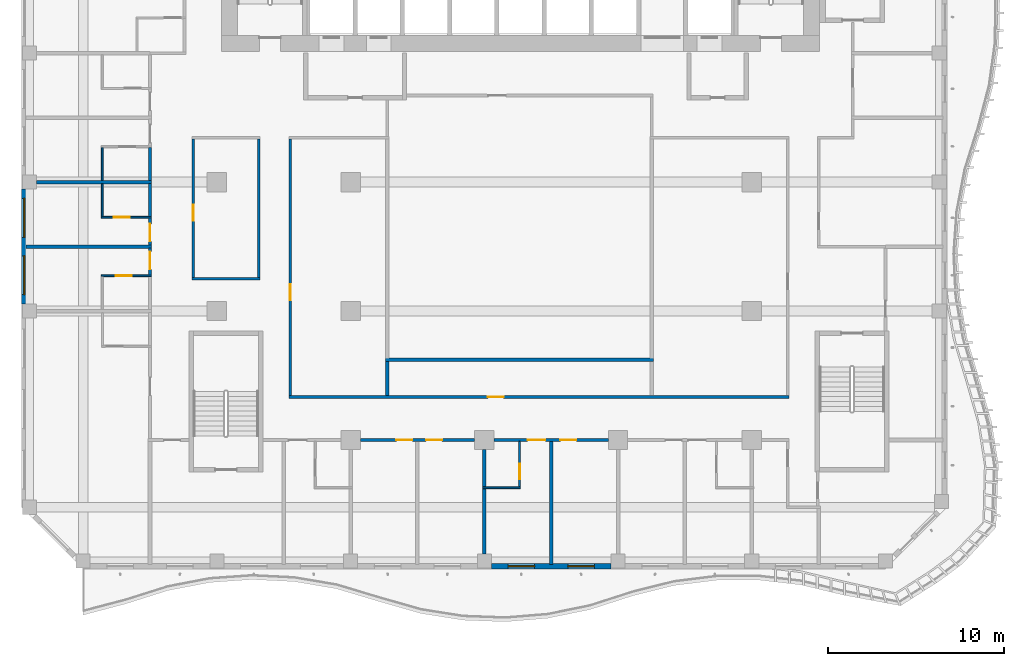
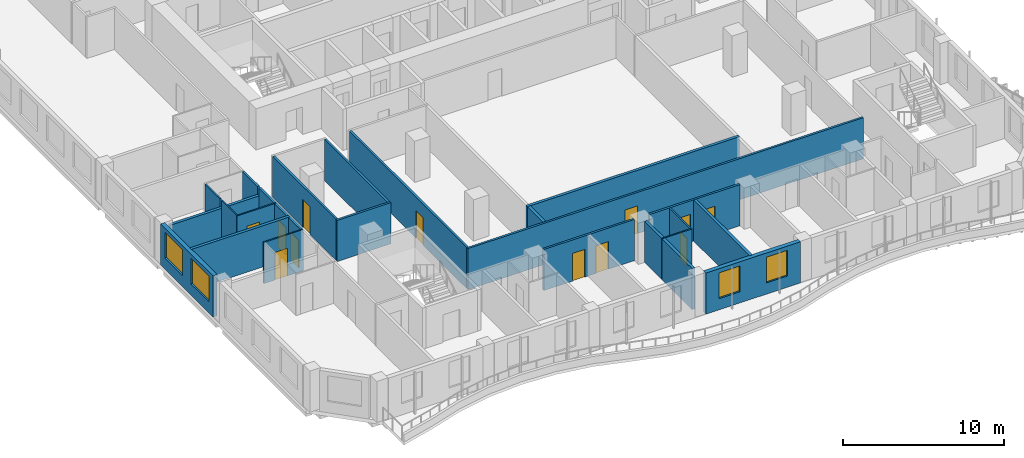
# One storey, part 3 of 23: 26 walls, 12 doors, 4 windows, 16 openings.
"""IFC4 building model written with IfcOpenShell, lengths in metres."""

from ifc_helpers import new_model, si_unit, direction, frame, frame_2d, origin, place, context, subcontext, project, spatial, rectangle, extrude, source, transform, mapped, material, layer, layer_set, type_object, element, fill, save


model = new_model("IFC4")

# Units and contexts
model_context = context("Model", 3, precision=1e-05, world=origin(), true_north=direction((0.0, 1.0)))
body_context = subcontext(model_context, "Body", "Model", "MODEL_VIEW")
ifc_project = project(units=[si_unit("LENGTHUNIT", "METRE"), si_unit("AREAUNIT", "SQUARE_METRE"), si_unit("VOLUMEUNIT", "CUBIC_METRE"), si_unit("PLANEANGLEUNIT", "RADIAN"), si_unit("MASSUNIT", "GRAM", prefix="KILO")], contexts=[model_context])

# Site, building, storey
site_placement = place(None, origin())
site = spatial("IfcSite", under=ifc_project, at=site_placement, CompositionType="ELEMENT")
building_placement = place(site_placement, origin())
building = spatial("IfcBuilding", under=site, at=building_placement, Name="Kilnfold Tower and Market Hall", CompositionType="ELEMENT")
storey_placement = place(building_placement, frame((0.0, 0.0, 150.699951171875)))
storey = spatial("IfcBuildingStorey", under=building, at=storey_placement, Name="L34", CompositionType="ELEMENT", Elevation=150.699951171875)

# Wall, openings, doors
ifc_material_1 = material(Name="Gypsum board on steel studs", Category="steel")
ifc_layer_1 = layer(ifc_material_1, 0.14990234375)
ifc_layer_set_1 = layer_set([ifc_layer_1], Name="Gypsum board on steel studs")
wall_type_1 = type_object("IfcWallType", Name="WALL CORRIDOR 150", PredefinedType="PARTITIONING", material=ifc_layer_set_1)
wall_1_placement = place(storey_placement, frame((-8.032958984375, -13.93798828125, 0.0), z_axis=(0.0, 0.0, 1.0), x_axis=(1.0, 0.0, 0.0)))
wall_1 = element("IfcWall", 1, at=wall_1_placement, inside=storey, type_object=wall_type_1, Name="Partition LY22.3", PredefinedType="PARTITIONING", context=body_context, shape_type="SweptSolid", body=[
    extrude(rectangle(XDim=6.48291015625, YDim=0.14990234375, at=frame_2d((3.241455078125, 0.0))), origin(), (0.0, 0.0, 1.0), 3.1201171875),
])
opening_1_placement = place(wall_1_placement, frame((2.048095703125, 0.0, 0.0)))
opening_1 = element("IfcOpeningElement", 2, at=opening_1_placement, cuts=wall_1, Name="Opening D2", PredefinedType="OPENING", context=body_context, shape_type="SweptSolid", body=[
    extrude(rectangle(XDim=0.89990234375, YDim=2.10009765625, at=frame_2d((0.449951171875, 1.050048828125))), frame((0.0, 0.0849609375, 0.0), z_axis=(0.0, -1.0, 0.0), x_axis=(1.0, 0.0, 0.0)), (0.0, 0.0, 1.0), 0.169921875),
])
opening_2_placement = place(wall_1_placement, frame((3.739013671875, 0.0, 0.0)))
opening_2 = element("IfcOpeningElement", 3, at=opening_2_placement, cuts=wall_1, Name="Opening D2", PredefinedType="OPENING", context=body_context, shape_type="SweptSolid", body=[
    extrude(rectangle(XDim=0.89990234375, YDim=2.10009765625, at=frame_2d((0.449951171875, 1.050048828125))), frame((0.0, 0.0849609375, 0.0), z_axis=(0.0, -1.0, 0.0), x_axis=(1.0, 0.0, 0.0)), (0.0, 0.0, 1.0), 0.169921875),
])
ifc_material_2 = material(Name="Timber veneer door leaf in steel frame", Category="steel")
door_type_1 = type_object("IfcDoorType", Name="DOOR ROOM 900 X2100", OperationType="NOTDEFINED", PredefinedType="DOOR", material=ifc_material_2)
door_1_placement = place(opening_1_placement, origin())
door_1 = element("IfcDoor", 4, at=door_1_placement, inside=storey, type_object=door_type_1, Name="Door D2", OperationType="SINGLE_SWING_LEFT", OverallHeight=2.10009765625, OverallWidth=0.89990234375, PredefinedType="DOOR", context=body_context, shape_type="SweptSolid", body=[
    extrude(rectangle(XDim=0.89990234375, YDim=2.10009765625, at=frame_2d((0.449951171875, 1.050048828125))), frame((0.0, 0.02490234375, 0.0), z_axis=(0.0, -1.0, 0.0), x_axis=(1.0, 0.0, 0.0)), (0.0, 0.0, 1.0), 0.050048828125),
])
fill(opening_1, door_1)
door_2_placement = place(opening_2_placement, origin())
door_2 = element("IfcDoor", 5, at=door_2_placement, inside=storey, type_object=door_type_1, Name="Door D2", OperationType="SINGLE_SWING_RIGHT", OverallHeight=2.10009765625, OverallWidth=0.89990234375, PredefinedType="DOOR", context=body_context, shape_type="SweptSolid", body=[
    extrude(rectangle(XDim=0.89990234375, YDim=2.10009765625, at=frame_2d((0.449951171875, 1.050048828125))), frame((0.0, 0.02490234375, 0.0), z_axis=(0.0, -1.0, 0.0), x_axis=(1.0, 0.0, 0.0)), (0.0, 0.0, 1.0), 0.050048828125),
])
fill(opening_2, door_2)

wall_2_placement = place(storey_placement, frame((-0.449951171875, -13.93798828125, 0.0), z_axis=(0.0, 0.0, 1.0), x_axis=(1.0, 0.0, 0.0)))
wall_2 = element("IfcWall", 6, at=wall_2_placement, inside=storey, type_object=wall_type_1, Name="Partition LY22.4", PredefinedType="PARTITIONING", context=body_context, shape_type="SweptSolid", body=[
    extrude(rectangle(XDim=6.48291015625, YDim=0.14990234375, at=frame_2d((3.241455078125, 0.0))), origin(), (0.0, 0.0, 1.0), 3.1201171875),
])
opening_3_placement = place(wall_2_placement, frame((1.908935546875, 0.0, 0.0)))
opening_3 = element("IfcOpeningElement", 7, at=opening_3_placement, cuts=wall_2, Name="Opening D1", PredefinedType="OPENING", context=body_context, shape_type="SweptSolid", body=[
    extrude(rectangle(XDim=1.0, YDim=2.10009765625, at=frame_2d((0.5, 1.050048828125))), frame((0.0, 0.0849609375, 0.0), z_axis=(0.0, -1.0, 0.0), x_axis=(1.0, 0.0, 0.0)), (0.0, 0.0, 1.0), 0.169921875),
])
opening_4_placement = place(wall_2_placement, frame((3.76611328125, 0.0, 0.0)))
opening_4 = element("IfcOpeningElement", 8, at=opening_4_placement, cuts=wall_2, Name="Opening D2", PredefinedType="OPENING", context=body_context, shape_type="SweptSolid", body=[
    extrude(rectangle(XDim=0.89990234375, YDim=2.10009765625, at=frame_2d((0.449951171875, 1.050048828125))), frame((0.0, 0.0849609375, 0.0), z_axis=(0.0, -1.0, 0.0), x_axis=(1.0, 0.0, 0.0)), (0.0, 0.0, 1.0), 0.169921875),
])
ifc_material_3 = material(Name="Timber veneer door leaf in steel frame", Category="steel")
door_type_2 = type_object("IfcDoorType", Name="DOOR ENTRY 1000 X2100", OperationType="NOTDEFINED", PredefinedType="DOOR", material=ifc_material_3)
door_3_placement = place(opening_3_placement, origin())
door_3 = element("IfcDoor", 9, at=door_3_placement, inside=storey, type_object=door_type_2, Name="Door D1", OperationType="SINGLE_SWING_RIGHT", OverallHeight=2.10009765625, OverallWidth=1.0, PredefinedType="DOOR", context=body_context, shape_type="SweptSolid", body=[
    extrude(rectangle(XDim=1.0, YDim=2.10009765625, at=frame_2d((0.5, 1.050048828125))), frame((0.0, 0.02490234375, 0.0), z_axis=(0.0, -1.0, 0.0), x_axis=(1.0, 0.0, 0.0)), (0.0, 0.0, 1.0), 0.050048828125),
])
fill(opening_3, door_3)
door_4_placement = place(opening_4_placement, origin())
door_4 = element("IfcDoor", 10, at=door_4_placement, inside=storey, type_object=door_type_1, Name="Door D2", OperationType="SINGLE_SWING_LEFT", OverallHeight=2.10009765625, OverallWidth=0.89990234375, PredefinedType="DOOR", context=body_context, shape_type="SweptSolid", body=[
    extrude(rectangle(XDim=0.89990234375, YDim=2.10009765625, at=frame_2d((0.449951171875, 1.050048828125))), frame((0.0, 0.02490234375, 0.0), z_axis=(0.0, -1.0, 0.0), x_axis=(1.0, 0.0, 0.0)), (0.0, 0.0, 1.0), 0.050048828125),
])
fill(opening_4, door_4)

# Wall, opening, door
wall_3_placement = place(storey_placement, frame((-19.958984375, -4.5849609375, 0.0), z_axis=(0.0, 0.0, 1.0), x_axis=(0.0, 1.0, 0.0)))
wall_3 = element("IfcWall", 11, at=wall_3_placement, inside=storey, type_object=wall_type_1, Name="Partition LY22.12", PredefinedType="PARTITIONING", context=body_context, shape_type="SweptSolid", body=[
    extrude(rectangle(XDim=1.52587890625, YDim=0.14990234375, at=frame_2d((0.762939453125, 0.0))), origin(), (0.0, 0.0, 1.0), 3.1201171875),
])
opening_5_placement = place(wall_3_placement, frame((0.325927734375, 0.0, 0.0)))
opening_5 = element("IfcOpeningElement", 12, at=opening_5_placement, cuts=wall_3, Name="Opening D1", PredefinedType="OPENING", context=body_context, shape_type="SweptSolid", body=[
    extrude(rectangle(XDim=1.0, YDim=2.10009765625, at=frame_2d((0.5, 1.050048828125))), frame((0.0, 0.0849609375, 0.0), z_axis=(0.0, -1.0, 0.0), x_axis=(1.0, 0.0, 0.0)), (0.0, 0.0, 1.0), 0.169921875),
])
door_5_placement = place(opening_5_placement, origin())
door_5 = element("IfcDoor", 13, at=door_5_placement, inside=storey, type_object=door_type_2, Name="Door D1", OperationType="SINGLE_SWING_LEFT", OverallHeight=2.10009765625, OverallWidth=1.0, PredefinedType="DOOR", context=body_context, shape_type="SweptSolid", body=[
    extrude(rectangle(XDim=1.0, YDim=2.10009765625, at=frame_2d((0.5, 1.050048828125))), frame((0.0, 0.02490234375, 0.0), z_axis=(0.0, -1.0, 0.0), x_axis=(1.0, 0.0, 0.0)), (0.0, 0.0, 1.0), 0.050048828125),
])
fill(opening_5, door_5)

wall_4_placement = place(storey_placement, frame((-19.958984375, -2.87890625, 0.0), z_axis=(0.0, 0.0, 1.0), x_axis=(0.0, 1.0, 0.0)))
wall_4 = element("IfcWall", 14, at=wall_4_placement, inside=storey, type_object=wall_type_1, Name="Partition LY22.14", PredefinedType="PARTITIONING", context=body_context, shape_type="SweptSolid", body=[
    extrude(rectangle(XDim=1.52685546875, YDim=0.14990234375, at=frame_2d((0.763427734375, 0.0))), origin(), (0.0, 0.0, 1.0), 3.1201171875),
])
opening_6_placement = place(wall_4_placement, frame((0.199951171875, 0.0, 0.0)))
opening_6 = element("IfcOpeningElement", 15, at=opening_6_placement, cuts=wall_4, Name="Opening D1", PredefinedType="OPENING", context=body_context, shape_type="SweptSolid", body=[
    extrude(rectangle(XDim=1.0, YDim=2.10009765625, at=frame_2d((0.5, 1.050048828125))), frame((0.0, 0.0849609375, 0.0), z_axis=(0.0, -1.0, 0.0), x_axis=(1.0, 0.0, 0.0)), (0.0, 0.0, 1.0), 0.169921875),
])
door_6_placement = place(opening_6_placement, origin())
door_6 = element("IfcDoor", 16, at=door_6_placement, inside=storey, type_object=door_type_2, Name="Door D1", OperationType="SINGLE_SWING_RIGHT", OverallHeight=2.10009765625, OverallWidth=1.0, PredefinedType="DOOR", context=body_context, shape_type="SweptSolid", body=[
    extrude(rectangle(XDim=1.0, YDim=2.10009765625, at=frame_2d((0.5, 1.050048828125))), frame((0.0, 0.02490234375, 0.0), z_axis=(0.0, -1.0, 0.0), x_axis=(1.0, 0.0, 0.0)), (0.0, 0.0, 1.0), 0.050048828125),
])
fill(opening_6, door_6)

# Walls
for number, where, z_axis, x_axis, name in (
    (17, (-19.958984375, -1.27197265625, 0.0), (0.0, 0.0, 1.0), (0.0, 1.0, 0.0), "Partition LY22.15"),
    (18, (-19.958984375, 0.778076171875, 0.0), (0.0, 0.0, 1.0), (0.0, 1.0, 0.0), "Partition LY22.17"),
):
    element("IfcWall", number, at=place(storey_placement, frame(where, z_axis=z_axis, x_axis=x_axis)), inside=storey, type_object=wall_type_1, Name=name, PredefinedType="PARTITIONING", context=body_context, shape_type="SweptSolid", body=[
        extrude(rectangle(XDim=1.869873046875, YDim=0.14990234375, at=frame_2d((0.93505859375, 0.0))), origin(), (0.0, 0.0, 1.0), 3.1201171875),
    ])

# Wall, opening, door
wall_5_placement = place(storey_placement, frame((-12.0, -11.425048828125, 0.0), z_axis=(0.0, 0.0, 1.0), x_axis=(0.0, 1.0, 0.0)))
wall_5 = element("IfcWall", 19, at=wall_5_placement, inside=storey, type_object=wall_type_1, Name="Partition LY22.37", PredefinedType="PARTITIONING", context=body_context, shape_type="SweptSolid", body=[
    extrude(rectangle(XDim=14.550048828125, YDim=0.14990234375, at=frame_2d((7.27490234375, 0.0))), origin(), (0.0, 0.0, 1.0), 3.1201171875),
])
opening_7_placement = place(wall_5_placement, frame((5.419921875, 0.0, 0.0)))
opening_7 = element("IfcOpeningElement", 20, at=opening_7_placement, cuts=wall_5, Name="Opening D2", PredefinedType="OPENING", context=body_context, shape_type="SweptSolid", body=[
    extrude(rectangle(XDim=0.89990234375, YDim=2.10009765625, at=frame_2d((0.449951171875, 1.050048828125))), frame((0.0, 0.0849609375, 0.0), z_axis=(0.0, -1.0, 0.0), x_axis=(1.0, 0.0, 0.0)), (0.0, 0.0, 1.0), 0.169921875),
])
door_7_placement = place(opening_7_placement, origin())
door_7 = element("IfcDoor", 21, at=door_7_placement, inside=storey, type_object=door_type_1, Name="Door D2", OperationType="SINGLE_SWING_LEFT", OverallHeight=2.10009765625, OverallWidth=0.89990234375, PredefinedType="DOOR", context=body_context, shape_type="SweptSolid", body=[
    extrude(rectangle(XDim=0.89990234375, YDim=2.10009765625, at=frame_2d((0.449951171875, 1.050048828125))), frame((0.0, 0.02490234375, 0.0), z_axis=(0.0, -1.0, 0.0), x_axis=(1.0, 0.0, 0.0)), (0.0, 0.0, 1.0), 0.050048828125),
])
fill(opening_7, door_7)

wall_6_placement = place(storey_placement, frame((-12.074951171875, -11.5, 0.0), z_axis=(0.0, 0.0, 1.0), x_axis=(1.0, 0.0, 0.0)))
wall_6 = element("IfcWall", 22, at=wall_6_placement, inside=storey, type_object=wall_type_1, Name="Partition LY22.38", PredefinedType="PARTITIONING", context=body_context, shape_type="SweptSolid", body=[
    extrude(rectangle(XDim=28.349853515625, YDim=0.14990234375, at=frame_2d((14.1748046875, 0.0))), origin(), (0.0, 0.0, 1.0), 3.1201171875),
])
opening_8_placement = place(wall_6_placement, frame((11.27294921875, 0.0, 0.0)))
opening_8 = element("IfcOpeningElement", 23, at=opening_8_placement, cuts=wall_6, Name="Opening D2", PredefinedType="OPENING", context=body_context, shape_type="SweptSolid", body=[
    extrude(rectangle(XDim=0.89990234375, YDim=2.10009765625, at=frame_2d((0.449951171875, 1.050048828125))), frame((0.0, 0.0849609375, 0.0), z_axis=(0.0, -1.0, 0.0), x_axis=(1.0, 0.0, 0.0)), (0.0, 0.0, 1.0), 0.169921875),
])
door_8_placement = place(opening_8_placement, origin())
door_8 = element("IfcDoor", 24, at=door_8_placement, inside=storey, type_object=door_type_1, Name="Door D2", OperationType="SINGLE_SWING_LEFT", OverallHeight=2.10009765625, OverallWidth=0.89990234375, PredefinedType="DOOR", context=body_context, shape_type="SweptSolid", body=[
    extrude(rectangle(XDim=0.89990234375, YDim=2.10009765625, at=frame_2d((0.449951171875, 1.050048828125))), frame((0.0, 0.02490234375, 0.0), z_axis=(0.0, -1.0, 0.0), x_axis=(1.0, 0.0, 0.0)), (0.0, 0.0, 1.0), 0.050048828125),
])
fill(opening_8, door_8)

wall_7_placement = place(storey_placement, frame((-17.5, -4.72509765625, 0.0), z_axis=(0.0, 0.0, 1.0), x_axis=(0.0, 1.0, 0.0)))
wall_7 = element("IfcWall", 25, at=wall_7_placement, inside=storey, type_object=wall_type_1, Name="Partition LY22.40", PredefinedType="PARTITIONING", context=body_context, shape_type="SweptSolid", body=[
    extrude(rectangle(XDim=7.85009765625, YDim=0.14990234375, at=frame_2d((3.925048828125, 0.0))), origin(), (0.0, 0.0, 1.0), 3.1201171875),
])
opening_9_placement = place(wall_7_placement, frame((3.222900390625, 0.0, 0.0)))
opening_9 = element("IfcOpeningElement", 26, at=opening_9_placement, cuts=wall_7, Name="Opening D2", PredefinedType="OPENING", context=body_context, shape_type="SweptSolid", body=[
    extrude(rectangle(XDim=0.89990234375, YDim=2.10009765625, at=frame_2d((0.449951171875, 1.050048828125))), frame((0.0, 0.0849609375, 0.0), z_axis=(0.0, -1.0, 0.0), x_axis=(1.0, 0.0, 0.0)), (0.0, 0.0, 1.0), 0.169921875),
])
door_9_placement = place(opening_9_placement, origin())
door_9 = element("IfcDoor", 27, at=door_9_placement, inside=storey, type_object=door_type_1, Name="Door D2", OperationType="SINGLE_SWING_LEFT", OverallHeight=2.10009765625, OverallWidth=0.89990234375, PredefinedType="DOOR", context=body_context, shape_type="SweptSolid", body=[
    extrude(rectangle(XDim=0.89990234375, YDim=2.10009765625, at=frame_2d((0.449951171875, 1.050048828125))), frame((0.0, 0.02490234375, 0.0), z_axis=(0.0, -1.0, 0.0), x_axis=(1.0, 0.0, 0.0)), (0.0, 0.0, 1.0), 0.050048828125),
])
fill(opening_9, door_9)

# Walls
wall_8_placement = place(storey_placement, frame((-13.72509765625, -4.800048828125, 0.0), z_axis=(0.0, 0.0, 1.0), x_axis=(-1.0, 0.0, 0.0)))
element("IfcWall", 28, at=wall_8_placement, inside=storey, type_object=wall_type_1, Name="Partition LY22.41", PredefinedType="PARTITIONING", context=body_context, shape_type="SweptSolid", body=[
    extrude(rectangle(XDim=3.849853515625, YDim=0.14990234375, at=frame_2d((1.9248046875, 0.0))), origin(), (0.0, 0.0, 1.0), 3.1201171875),
])
wall_9_placement = place(storey_placement, frame((-13.800048828125, 3.125, 0.0), z_axis=(0.0, 0.0, 1.0), x_axis=(0.0, -1.0, 0.0)))
element("IfcWall", 29, at=wall_9_placement, inside=storey, type_object=wall_type_1, Name="Partition LY22.42", PredefinedType="PARTITIONING", context=body_context, shape_type="SweptSolid", body=[
    extrude(rectangle(XDim=7.85009765625, YDim=0.14990234375, at=frame_2d((3.925048828125, 0.0))), origin(), (0.0, 0.0, 1.0), 3.1201171875),
])

# Wall, opening, door
ifc_material_4 = material(Name="Gypsum board on steel studs", Category="steel")
ifc_layer_2 = layer(ifc_material_4, 0.10009765625)
ifc_layer_set_2 = layer_set([ifc_layer_2], Name="Gypsum board on steel studs")
wall_type_2 = type_object("IfcWallType", Name="WALL PARTITION 100", PredefinedType="PARTITIONING", material=ifc_layer_set_2)
wall_10_placement = place(storey_placement, frame((1.0, -16.590087890625, 0.0), z_axis=(0.0, 0.0, 1.0), x_axis=(0.0, 1.0, 0.0)))
wall_10 = element("IfcWall", 30, at=wall_10_placement, inside=storey, type_object=wall_type_2, Name="Partition LY22.57", PredefinedType="PARTITIONING", context=body_context, shape_type="SweptSolid", body=[
    extrude(rectangle(XDim=2.5751953125, YDim=0.10009765625, at=frame_2d((1.28759765625, 0.0))), origin(), (0.0, 0.0, 1.0), 3.1201171875),
])
opening_10_placement = place(wall_10_placement, frame((0.4130859375, 0.0, 0.0)))
opening_10 = element("IfcOpeningElement", 31, at=opening_10_placement, cuts=wall_10, Name="Opening D3", PredefinedType="OPENING", context=body_context, shape_type="SweptSolid", body=[
    extrude(rectangle(XDim=0.89990234375, YDim=2.10009765625, at=frame_2d((0.449951171875, 1.050048828125))), frame((0.0, 0.06005859375, 0.0), z_axis=(0.0, -1.0, 0.0), x_axis=(1.0, 0.0, 0.0)), (0.0, 0.0, 1.0), 0.1201171875),
])
ifc_material_5 = material(Name="Timber veneer door leaf in steel frame", Category="steel")
door_type_3 = type_object("IfcDoorType", Name="DOOR WC 900 X2100", OperationType="NOTDEFINED", PredefinedType="DOOR", material=ifc_material_5)
door_10_placement = place(opening_10_placement, origin())
door_10 = element("IfcDoor", 32, at=door_10_placement, inside=storey, type_object=door_type_3, Name="Door D3", OperationType="SINGLE_SWING_LEFT", OverallHeight=2.10009765625, OverallWidth=0.89990234375, PredefinedType="DOOR", context=body_context, shape_type="SweptSolid", body=[
    extrude(rectangle(XDim=0.89990234375, YDim=2.10009765625, at=frame_2d((0.449951171875, 1.050048828125))), frame((0.0, 0.02490234375, 0.0), z_axis=(0.0, -1.0, 0.0), x_axis=(1.0, 0.0, 0.0)), (0.0, 0.0, 1.0), 0.050048828125),
])
fill(opening_10, door_10)

# Wall
wall_11_placement = place(storey_placement, frame((-1.10009765625, -16.639892578125, 0.0), z_axis=(0.0, 0.0, 1.0), x_axis=(1.0, 0.0, 0.0)))
element("IfcWall", 33, at=wall_11_placement, inside=storey, type_object=wall_type_2, Name="Partition LY22.58", PredefinedType="PARTITIONING", context=body_context, shape_type="SweptSolid", body=[
    extrude(rectangle(XDim=2.150146484375, YDim=0.10009765625, at=frame_2d((1.0751953125, 0.0))), origin(), (0.0, 0.0, 1.0), 3.1201171875),
])

# Wall, opening, door
wall_12_placement = place(storey_placement, frame((-22.7109375, -4.625, 0.0), z_axis=(0.0, 0.0, 1.0), x_axis=(1.0, 0.0, 0.0)))
wall_12 = element("IfcWall", 34, at=wall_12_placement, inside=storey, type_object=wall_type_2, Name="Partition LY22.71", PredefinedType="PARTITIONING", context=body_context, shape_type="SweptSolid", body=[
    extrude(rectangle(XDim=2.824951171875, YDim=0.10009765625, at=frame_2d((1.41259765625, 0.0))), origin(), (0.0, 0.0, 1.0), 3.1201171875),
])
opening_11_placement = place(wall_12_placement, frame((0.81005859375, 0.0, 0.0)))
opening_11 = element("IfcOpeningElement", 35, at=opening_11_placement, cuts=wall_12, Name="Opening D3", PredefinedType="OPENING", context=body_context, shape_type="SweptSolid", body=[
    extrude(rectangle(XDim=0.89990234375, YDim=2.10009765625, at=frame_2d((0.449951171875, 1.050048828125))), frame((0.0, 0.06005859375, 0.0), z_axis=(0.0, -1.0, 0.0), x_axis=(1.0, 0.0, 0.0)), (0.0, 0.0, 1.0), 0.1201171875),
])
door_11_placement = place(opening_11_placement, origin())
door_11 = element("IfcDoor", 36, at=door_11_placement, inside=storey, type_object=door_type_3, Name="Door D3", OperationType="SINGLE_SWING_LEFT", OverallHeight=2.10009765625, OverallWidth=0.89990234375, PredefinedType="DOOR", context=body_context, shape_type="SweptSolid", body=[
    extrude(rectangle(XDim=0.89990234375, YDim=2.10009765625, at=frame_2d((0.449951171875, 1.050048828125))), frame((0.0, 0.02490234375, 0.0), z_axis=(0.0, -1.0, 0.0), x_axis=(1.0, 0.0, 0.0)), (0.0, 0.0, 1.0), 0.050048828125),
])
fill(opening_11, door_11)

wall_13_placement = place(storey_placement, frame((-19.885986328125, -1.31201171875, 0.0), z_axis=(0.0, 0.0, 1.0), x_axis=(-1.0, 0.0, 0.0)))
wall_13 = element("IfcWall", 37, at=wall_13_placement, inside=storey, type_object=wall_type_2, Name="Partition LY22.74", PredefinedType="PARTITIONING", context=body_context, shape_type="SweptSolid", body=[
    extrude(rectangle(XDim=2.824951171875, YDim=0.10009765625, at=frame_2d((1.41259765625, 0.0))), origin(), (0.0, 0.0, 1.0), 3.1201171875),
])
opening_12_placement = place(wall_13_placement, frame((1.217041015625, 0.0, 0.0)))
opening_12 = element("IfcOpeningElement", 38, at=opening_12_placement, cuts=wall_13, Name="Opening D3", PredefinedType="OPENING", context=body_context, shape_type="SweptSolid", body=[
    extrude(rectangle(XDim=0.89990234375, YDim=2.10009765625, at=frame_2d((0.449951171875, 1.050048828125))), frame((0.0, 0.06005859375, 0.0), z_axis=(0.0, -1.0, 0.0), x_axis=(1.0, 0.0, 0.0)), (0.0, 0.0, 1.0), 0.1201171875),
])
door_12_placement = place(opening_12_placement, origin())
door_12 = element("IfcDoor", 39, at=door_12_placement, inside=storey, type_object=door_type_3, Name="Door D3", OperationType="SINGLE_SWING_LEFT", OverallHeight=2.10009765625, OverallWidth=0.89990234375, PredefinedType="DOOR", context=body_context, shape_type="SweptSolid", body=[
    extrude(rectangle(XDim=0.89990234375, YDim=2.10009765625, at=frame_2d((0.449951171875, 1.050048828125))), frame((0.0, 0.02490234375, 0.0), z_axis=(0.0, -1.0, 0.0), x_axis=(1.0, 0.0, 0.0)), (0.0, 0.0, 1.0), 0.050048828125),
])
fill(opening_12, door_12)

# Walls
for number, where, z_axis, x_axis, name in (
    (40, (-22.660888671875, -1.261962890625, 0.0), (0.0, 0.0, 1.0), (0.0, 1.0, 0.0), "Partition LY22.75"),
    (41, (-22.660888671875, 0.7880859375, 0.0), (0.0, 0.0, 1.0), (0.0, 1.0, 0.0), "Partition LY22.78"),
):
    element("IfcWall", number, at=place(storey_placement, frame(where, z_axis=z_axis, x_axis=x_axis)), inside=storey, type_object=wall_type_2, Name=name, PredefinedType="PARTITIONING", context=body_context, shape_type="SweptSolid", body=[
        extrude(rectangle(XDim=1.849853515625, YDim=0.10009765625, at=frame_2d((0.9248046875, 0.0))), origin(), (0.0, 0.0, 1.0), 3.1201171875),
    ])
ifc_material_6 = material(Name="Gypsum board on steel studs", Category="steel")
ifc_layer_3 = layer(ifc_material_6, 0.199951171875)
ifc_layer_set_3 = layer_set([ifc_layer_3], Name="Gypsum board on steel studs")
wall_type_3 = type_object("IfcWallType", Name="WALL PARTY 200", PredefinedType="PARTITIONING", material=ifc_layer_set_3)
wall_14_placement = place(storey_placement, frame((-1.0, -20.39990234375, 0.0), z_axis=(0.0, 0.0, 1.0), x_axis=(0.0, 1.0, 0.0)))
element("IfcWall", 42, at=wall_14_placement, inside=storey, type_object=wall_type_3, Name="Partition LY22.55", PredefinedType="PARTITIONING", context=body_context, shape_type="SweptSolid", body=[
    extrude(rectangle(XDim=3.719970703125, YDim=0.199951171875, at=frame_2d((1.85986328125, 0.0))), origin(), (0.0, 0.0, 1.0), 3.1201171875),
])
wall_15_placement = place(storey_placement, frame((-1.0, -16.60009765625, 0.0), z_axis=(0.0, 0.0, 1.0), x_axis=(0.0, 1.0, 0.0)))
element("IfcWall", 43, at=wall_15_placement, inside=storey, type_object=wall_type_3, Name="Partition LY22.56", PredefinedType="PARTITIONING", context=body_context, shape_type="SweptSolid", body=[
    extrude(rectangle(XDim=2.112060546875, YDim=0.199951171875, at=frame_2d((1.05615234375, 0.0))), origin(), (0.0, 0.0, 1.0), 3.1201171875),
])
wall_16_placement = place(storey_placement, frame((2.7919921875, -21.0, 0.0), z_axis=(0.0, 0.0, 1.0), x_axis=(0.0, 1.0, 0.0)))
element("IfcWall", 44, at=wall_16_placement, inside=storey, type_object=wall_type_3, Name="Partition LY22.59", PredefinedType="PARTITIONING", context=body_context, shape_type="SweptSolid", body=[
    extrude(rectangle(XDim=6.985107421875, YDim=0.199951171875, at=frame_2d((3.49267578125, 0.0))), origin(), (0.0, 0.0, 1.0), 3.1201171875),
])
wall_17_placement = place(storey_placement, frame((-19.885986328125, -2.968994140625, 0.0), z_axis=(0.0, 0.0, 1.0), x_axis=(-1.0, 0.0, 0.0)))
element("IfcWall", 45, at=wall_17_placement, inside=storey, type_object=wall_type_3, Name="Partition LY22.73", PredefinedType="PARTITIONING", context=body_context, shape_type="SweptSolid", body=[
    extrude(rectangle(XDim=7.114013671875, YDim=0.199951171875, at=frame_2d((3.55712890625, 0.0))), origin(), (0.0, 0.0, 1.0), 3.1201171875),
])
wall_18_placement = place(storey_placement, frame((-26.39990234375, 0.68798828125, 0.0), z_axis=(0.0, 0.0, 1.0), x_axis=(1.0, 0.0, 0.0)))
element("IfcWall", 46, at=wall_18_placement, inside=storey, type_object=wall_type_3, Name="Partition LY22.76", PredefinedType="PARTITIONING", context=body_context, shape_type="SweptSolid", body=[
    extrude(rectangle(XDim=6.513916015625, YDim=0.199951171875, at=frame_2d((3.2568359375, 0.0))), origin(), (0.0, 0.0, 1.0), 2.52001953125),
])
wall_19_placement = place(storey_placement, frame((-6.5, -11.423095703125, 0.0), z_axis=(0.0, 0.0, 1.0), x_axis=(0.0, 1.0, 0.0)))
element("IfcWall", 47, at=wall_19_placement, inside=storey, type_object=wall_type_3, Name="Partition LY22.129", PredefinedType="PARTITIONING", context=body_context, shape_type="SweptSolid", body=[
    extrude(rectangle(XDim=1.93310546875, YDim=0.199951171875, at=frame_2d((0.966552734375, 0.0))), origin(), (0.0, 0.0, 1.0), 3.1201171875),
])
wall_20_placement = place(storey_placement, frame((8.60009765625, -9.39990234375, 0.0), z_axis=(0.0, 0.0, 1.0), x_axis=(-1.0, 0.0, 0.0)))
element("IfcWall", 48, at=wall_20_placement, inside=storey, type_object=wall_type_3, Name="Partition LY22.132", PredefinedType="PARTITIONING", context=body_context, shape_type="SweptSolid", body=[
    extrude(rectangle(XDim=15.2001953125, YDim=0.199951171875, at=frame_2d((7.60009765625, 0.0))), origin(), (0.0, 0.0, 1.0), 3.1201171875),
])

# Wall, openings, windows
ifc_material_7 = material(Name="Precast concrete C50/60", Category="concrete")
ifc_layer_4 = layer(ifc_material_7, 0.300048828125)
ifc_layer_set_4 = layer_set([ifc_layer_4], Name="Precast concrete C50/60")
wall_type_4 = type_object("IfcWallType", Name="PRECAST WALL 300", PredefinedType="SOLIDWALL", material=ifc_layer_set_4)
shared_shape_1 = source(origin(), body_context, "Body", "SweptSolid", [
    extrude(rectangle(XDim=6.783447265625, YDim=0.300048828125, at=frame_2d((3.3916015625, 0.0))), origin(), (0.0, 0.0, 1.0), 3.1201171875),
])
wall_21_placement = place(storey_placement, frame((-0.60009765625, -21.10009765625, 0.0), z_axis=(0.0, 0.0, 1.0), x_axis=(1.0, 0.0, 0.0)))
wall_21 = element("IfcWall", 49, at=wall_21_placement, inside=storey, type_object=wall_type_4, Name="External wall L34 S", PredefinedType="SOLIDWALL", context=body_context, shape_type="MappedRepresentation", body=[
    mapped(shared_shape_1, transform((0.0, 0.0, 0.0))),
])
opening_13_placement = place(wall_21_placement, frame((0.94580078125, 0.0, 0.85009765625)))
opening_13 = element("IfcOpeningElement", 50, at=opening_13_placement, cuts=wall_21, Name="Opening W4", PredefinedType="OPENING", context=body_context, shape_type="SweptSolid", body=[
    extrude(rectangle(XDim=1.5, YDim=1.949951171875, at=frame_2d((0.75, 0.97509765625))), frame((0.0, 0.16015625, 0.0), z_axis=(0.0, -1.0, 0.0), x_axis=(1.0, 0.0, 0.0)), (0.0, 0.0, 1.0), 0.320068359375),
])
opening_14_placement = place(wall_21_placement, frame((4.33740234375, 0.0, 0.85009765625)))
opening_14 = element("IfcOpeningElement", 51, at=opening_14_placement, cuts=wall_21, Name="Opening W4", PredefinedType="OPENING", context=body_context, shape_type="SweptSolid", body=[
    extrude(rectangle(XDim=1.5, YDim=1.949951171875, at=frame_2d((0.75, 0.97509765625))), frame((0.0, 0.16015625, 0.0), z_axis=(0.0, -1.0, 0.0), x_axis=(1.0, 0.0, 0.0)), (0.0, 0.0, 1.0), 0.320068359375),
])
ifc_material_8 = material(Name="Aluminium frame and double glazing", Category="aluminium")
window_type_1 = type_object("IfcWindowType", Name="WINDOW W4 1500X1950", PartitioningType="SINGLE_PANEL", PredefinedType="WINDOW", material=ifc_material_8)
window_1_placement = place(opening_13_placement, origin())
window_1 = element("IfcWindow", 52, at=window_1_placement, inside=storey, type_object=window_type_1, Name="Window W4 L34 S-1", OverallHeight=1.949951171875, OverallWidth=1.5, PartitioningType="SINGLE_PANEL", PredefinedType="WINDOW", context=body_context, shape_type="SweptSolid", body=[
    extrude(rectangle(XDim=1.5, YDim=1.949951171875, at=frame_2d((0.75, 0.97509765625))), frame((0.0, 0.030029296875, 0.0), z_axis=(0.0, -1.0, 0.0), x_axis=(1.0, 0.0, 0.0)), (0.0, 0.0, 1.0), 0.06005859375),
])
fill(opening_13, window_1)
window_2_placement = place(opening_14_placement, origin())
window_2 = element("IfcWindow", 53, at=window_2_placement, inside=storey, type_object=window_type_1, Name="Window W4 L34 S-2", OverallHeight=1.949951171875, OverallWidth=1.5, PartitioningType="SINGLE_PANEL", PredefinedType="WINDOW", context=body_context, shape_type="SweptSolid", body=[
    extrude(rectangle(XDim=1.5, YDim=1.949951171875, at=frame_2d((0.75, 0.97509765625))), frame((0.0, 0.030029296875, 0.0), z_axis=(0.0, -1.0, 0.0), x_axis=(1.0, 0.0, 0.0)), (0.0, 0.0, 1.0), 0.06005859375),
])
fill(opening_14, window_2)

shared_shape_2 = source(origin(), body_context, "Body", "SweptSolid", [
    extrude(rectangle(XDim=6.5126953125, YDim=0.300048828125, at=frame_2d((3.25634765625, 0.0))), origin(), (0.0, 0.0, 1.0), 3.1201171875),
])
wall_22_placement = place(storey_placement, frame((-27.10009765625, 0.28759765625, 0.0), z_axis=(0.0, 0.0, 1.0), x_axis=(0.0, -1.0, 0.0)))
wall_22 = element("IfcWall", 54, at=wall_22_placement, inside=storey, type_object=wall_type_4, Name="External wall L34 W", PredefinedType="SOLIDWALL", context=body_context, shape_type="MappedRepresentation", body=[
    mapped(shared_shape_2, transform((0.0, 0.0, 0.0))),
])
opening_15_placement = place(wall_22_placement, frame((0.5283203125, 0.0, 0.85009765625)))
opening_15 = element("IfcOpeningElement", 55, at=opening_15_placement, cuts=wall_22, Name="Opening W2", PredefinedType="OPENING", context=body_context, shape_type="SweptSolid", body=[
    extrude(rectangle(XDim=2.199951171875, YDim=1.949951171875, at=frame_2d((1.10009765625, 0.97509765625))), frame((0.0, 0.16015625, 0.0), z_axis=(0.0, -1.0, 0.0), x_axis=(1.0, 0.0, 0.0)), (0.0, 0.0, 1.0), 0.320068359375),
])
opening_16_placement = place(wall_22_placement, frame((3.784423828125, 0.0, 0.85009765625)))
opening_16 = element("IfcOpeningElement", 56, at=opening_16_placement, cuts=wall_22, Name="Opening W2", PredefinedType="OPENING", context=body_context, shape_type="SweptSolid", body=[
    extrude(rectangle(XDim=2.199951171875, YDim=1.949951171875, at=frame_2d((1.10009765625, 0.97509765625))), frame((0.0, 0.16015625, 0.0), z_axis=(0.0, -1.0, 0.0), x_axis=(1.0, 0.0, 0.0)), (0.0, 0.0, 1.0), 0.320068359375),
])
ifc_material_9 = material(Name="Aluminium frame and double glazing", Category="aluminium")
window_type_2 = type_object("IfcWindowType", Name="WINDOW W2 2200X1950", PartitioningType="SINGLE_PANEL", PredefinedType="WINDOW", material=ifc_material_9)
window_3_placement = place(opening_15_placement, origin())
window_3 = element("IfcWindow", 57, at=window_3_placement, inside=storey, type_object=window_type_2, Name="Window W2 L34 W-1", OverallHeight=1.949951171875, OverallWidth=2.199951171875, PartitioningType="SINGLE_PANEL", PredefinedType="WINDOW", context=body_context, shape_type="SweptSolid", body=[
    extrude(rectangle(XDim=2.199951171875, YDim=1.949951171875, at=frame_2d((1.10009765625, 0.97509765625))), frame((0.0, 0.030029296875, 0.0), z_axis=(0.0, -1.0, 0.0), x_axis=(1.0, 0.0, 0.0)), (0.0, 0.0, 1.0), 0.06005859375),
])
fill(opening_15, window_3)
window_4_placement = place(opening_16_placement, origin())
window_4 = element("IfcWindow", 58, at=window_4_placement, inside=storey, type_object=window_type_2, Name="Window W2 L34 W-2", OverallHeight=1.949951171875, OverallWidth=2.199951171875, PartitioningType="SINGLE_PANEL", PredefinedType="WINDOW", context=body_context, shape_type="SweptSolid", body=[
    extrude(rectangle(XDim=2.199951171875, YDim=1.949951171875, at=frame_2d((1.10009765625, 0.97509765625))), frame((0.0, 0.030029296875, 0.0), z_axis=(0.0, -1.0, 0.0), x_axis=(1.0, 0.0, 0.0)), (0.0, 0.0, 1.0), 0.06005859375),
])
fill(opening_16, window_4)

save(model, "model.ifc")
